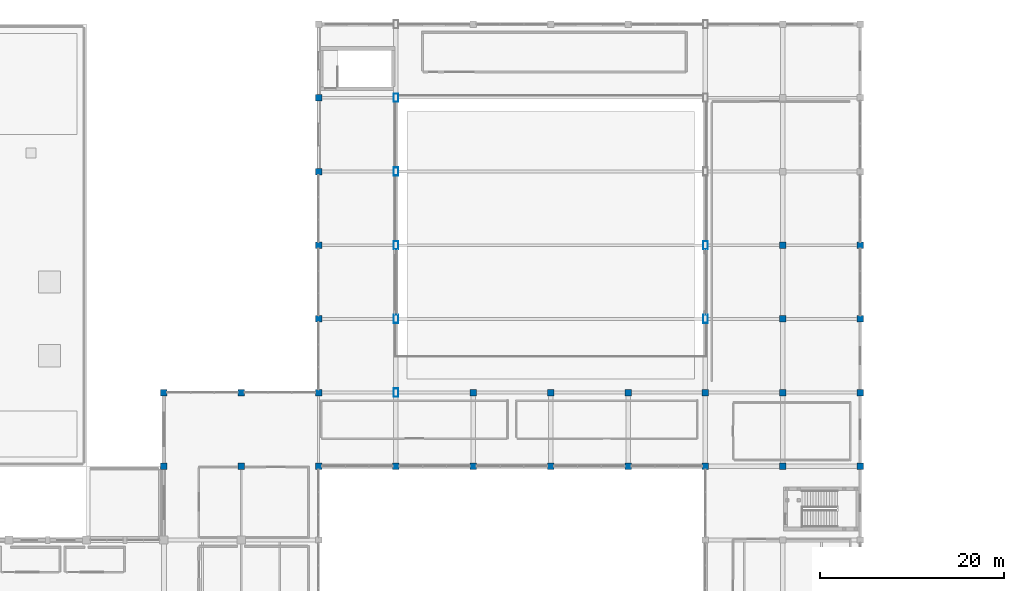
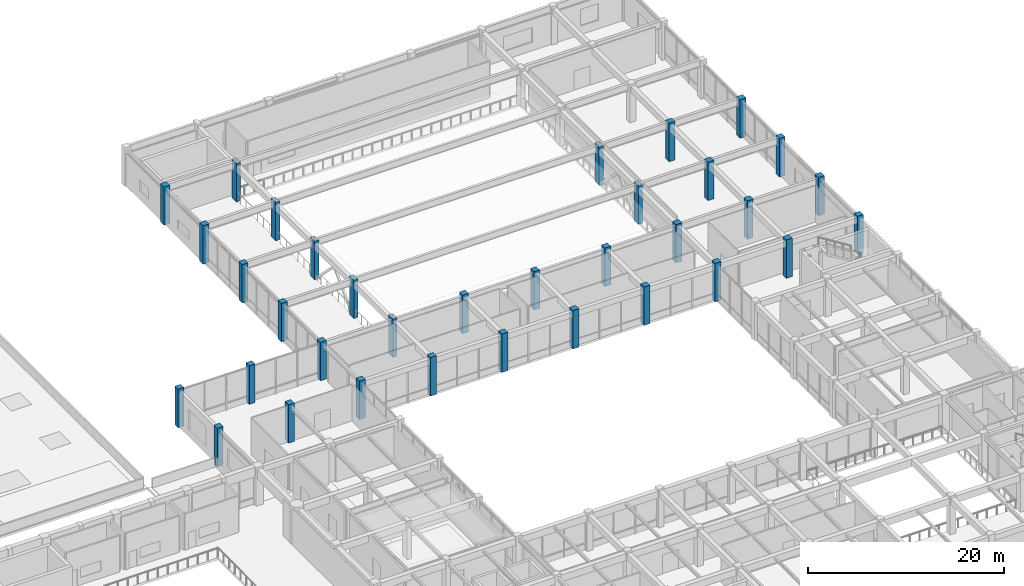
# One storey, part 6 of 76: 34 columns.
"""IFC4 building model written with IfcOpenShell, lengths in metres."""

from ifc_helpers import new_model, si_unit, direction, frame, origin, origin_2d, place, context, subcontext, project, spatial, rectangle, hollow_rectangle, extrude, material, material_profile, profile_set, type_object, element, save


model = new_model("IFC4")

# Units and contexts
model_context = context("Model", 3, precision=1e-05, world=origin(), true_north=direction((0.0, 1.0)))
body_context = subcontext(model_context, "Body", "Model", "MODEL_VIEW")
ifc_project = project(units=[si_unit("LENGTHUNIT", "METRE"), si_unit("AREAUNIT", "SQUARE_METRE"), si_unit("VOLUMEUNIT", "CUBIC_METRE"), si_unit("PLANEANGLEUNIT", "RADIAN"), si_unit("MASSUNIT", "GRAM", prefix="KILO")], contexts=[model_context])

# Site, building, storey
site_placement = place(None, origin())
site = spatial("IfcSite", under=ifc_project, at=site_placement, CompositionType="ELEMENT")
building_placement = place(site_placement, origin())
building = spatial("IfcBuilding", under=site, at=building_placement, Name="Naruveol Harbour Congress Hotel", CompositionType="ELEMENT")
storey_placement = place(building_placement, frame((0.0, 0.0, 11.39990234375)))
storey = spatial("IfcBuildingStorey", under=building, at=storey_placement, Name="L02", CompositionType="ELEMENT", Elevation=11.39990234375)

# Columns
ifc_material_1 = material(Name="Concrete C40/50", Category="concrete")
ifc_material_profile_1 = material_profile(ifc_material_1, rectangle(XDim=0.699951171875, YDim=0.699951171875, at=origin_2d()), Name="RC-700x700")
ifc_profile_set_1 = profile_set([ifc_material_profile_1], Name="Concrete C40/50")
column_type_1 = type_object("IfcColumnType", Name="RC HOTEL COLUMN 700X700", PredefinedType="COLUMN", material=ifc_profile_set_1)
for number, where, z_axis, x_axis, name in (
    (1, (50.39990234375, 64.0, 0.0), (0.0, 0.0, 1.0), (1.0, 0.0, 0.0), "Column C-700 L02 (50.4,64.0)"),
    (2, (50.39990234375, 72.0, 0.0), (0.0, 0.0, 1.0), (1.0, 0.0, 0.0), "Column C-700 L02 (50.4,72.0)"),
    (3, (58.800048828125, 64.0, 0.0), (0.0, 0.0, 1.0), (1.0, 0.0, 0.0), "Column C-700 L02 (58.8,64.0)"),
    (4, (58.800048828125, 72.0, 0.0), (0.0, 0.0, 1.0), (1.0, 0.0, 0.0), "Column C-700 L02 (58.8,72.0)"),
    (5, (67.199951171875, 64.0, 0.0), (0.0, 0.0, 1.0), (1.0, 0.0, 0.0), "Column C-700 L02 (67.2,64.0)"),
    (6, (67.199951171875, 72.0, 0.0), (0.0, 0.0, 1.0), (1.0, 0.0, 0.0), "Column C-700 L02 (67.2,72.0)"),
    (7, (67.199951171875, 80.0, 0.0), (0.0, 0.0, 1.0), (1.0, 0.0, 0.0), "Column C-700 L02 (67.2,80.0)"),
    (8, (67.199951171875, 88.0, 0.0), (0.0, 0.0, 1.0), (1.0, 0.0, 0.0), "Column C-700 L02 (67.2,88.0)"),
    (9, (67.199951171875, 96.0, 0.0), (0.0, 0.0, 1.0), (1.0, 0.0, 0.0), "Column C-700 L02 (67.2,96.0)"),
    (10, (67.199951171875, 104.0, 0.0), (0.0, 0.0, 1.0), (1.0, 0.0, 0.0), "Column C-700 L02 (67.2,104.0)"),
    (11, (75.60009765625, 64.0, 0.0), (0.0, 0.0, 1.0), (1.0, 0.0, 0.0), "Column C-700 L02 (75.6,64.0)"),
    (12, (84.0, 64.0, 0.0), (0.0, 0.0, 1.0), (1.0, 0.0, 0.0), "Column C-700 L02 (84.0,64.0)"),
    (13, (84.0, 72.0, 0.0), (0.0, 0.0, 1.0), (1.0, 0.0, 0.0), "Column C-700 L02 (84.0,72.0)"),
    (14, (92.39990234375, 64.0, 0.0), (0.0, 0.0, 1.0), (1.0, 0.0, 0.0), "Column C-700 L02 (92.4,64.0)"),
    (15, (92.39990234375, 72.0, 0.0), (0.0, 0.0, 1.0), (1.0, 0.0, 0.0), "Column C-700 L02 (92.4,72.0)"),
    (16, (100.800048828125, 64.0, 0.0), (0.0, 0.0, 1.0), (1.0, 0.0, 0.0), "Column C-700 L02 (100.8,64.0)"),
    (17, (100.800048828125, 72.0, 0.0), (0.0, 0.0, 1.0), (1.0, 0.0, 0.0), "Column C-700 L02 (100.8,72.0)"),
    (18, (109.199951171875, 64.0, 0.0), (0.0, 0.0, 1.0), (1.0, 0.0, 0.0), "Column C-700 L02 (109.2,64.0)"),
    (19, (109.199951171875, 72.0, 0.0), (0.0, 0.0, 1.0), (1.0, 0.0, 0.0), "Column C-700 L02 (109.2,72.0)"),
    (20, (117.60009765625, 64.0, 0.0), (0.0, 0.0, 1.0), (1.0, 0.0, 0.0), "Column C-700 L02 (117.6,64.0)"),
    (21, (117.60009765625, 72.0, 0.0), (0.0, 0.0, 1.0), (1.0, 0.0, 0.0), "Column C-700 L02 (117.6,72.0)"),
    (22, (117.60009765625, 80.0, 0.0), (0.0, 0.0, 1.0), (1.0, 0.0, 0.0), "Column C-700 L02 (117.6,80.0)"),
    (23, (117.60009765625, 88.0, 0.0), (0.0, 0.0, 1.0), (1.0, 0.0, 0.0), "Column C-700 L02 (117.6,88.0)"),
    (24, (126.0, 64.0, 0.0), (0.0, 0.0, 1.0), (1.0, 0.0, 0.0), "Column C-700 L02 (126.0,64.0)"),
    (25, (126.0, 72.0, 0.0), (0.0, 0.0, 1.0), (1.0, 0.0, 0.0), "Column C-700 L02 (126.0,72.0)"),
    (26, (126.0, 80.0, 0.0), (0.0, 0.0, 1.0), (1.0, 0.0, 0.0), "Column C-700 L02 (126.0,80.0)"),
    (27, (126.0, 88.0, 0.0), (0.0, 0.0, 1.0), (1.0, 0.0, 0.0), "Column C-700 L02 (126.0,88.0)"),
):
    element("IfcColumn", number, at=place(storey_placement, frame(where, z_axis=z_axis, x_axis=x_axis)), inside=storey, type_object=column_type_1, Name=name, PredefinedType="COLUMN", context=body_context, shape_type="SweptSolid", body=[
        extrude(rectangle(XDim=0.699951171875, YDim=0.699951171875, at=origin_2d()), origin(), (0.0, 0.0, 1.0), 4.800048828125),
    ])
ifc_material_2 = material(Name="Steel SN490", Category="steel")
ifc_material_profile_2 = material_profile(ifc_material_2, hollow_rectangle(XDim=0.5, YDim=0.89990234375, WallThickness=0.02392578125, at=origin_2d()), Name="RHS-900x500x24")
ifc_profile_set_2 = profile_set([ifc_material_profile_2], Name="Steel SN490")
column_type_2 = type_object("IfcColumnType", Name="STEEL HALL COLUMN H900X300", PredefinedType="COLUMN", material=ifc_profile_set_2)
for number, where, z_axis, x_axis, name in (
    (28, (75.60009765625, 72.0, 0.0), (0.0, 0.0, 1.0), (1.0, 0.0, 0.0), "Column SC-H900 L02 (75.6,72.0)"),
    (29, (75.60009765625, 80.0, 0.0), (0.0, 0.0, 1.0), (1.0, 0.0, 0.0), "Column SC-H900 L02 (75.6,80.0)"),
    (30, (75.60009765625, 88.0, 0.0), (0.0, 0.0, 1.0), (1.0, 0.0, 0.0), "Column SC-H900 L02 (75.6,88.0)"),
    (31, (75.60009765625, 96.0, 0.0), (0.0, 0.0, 1.0), (1.0, 0.0, 0.0), "Column SC-H900 L02 (75.6,96.0)"),
    (32, (75.60009765625, 104.0, 0.0), (0.0, 0.0, 1.0), (1.0, 0.0, 0.0), "Column SC-H900 L02 (75.6,104.0)"),
    (33, (109.199951171875, 80.0, 0.0), (0.0, 0.0, 1.0), (1.0, 0.0, 0.0), "Column SC-H900 L02 (109.2,80.0)"),
    (34, (109.199951171875, 88.0, 0.0), (0.0, 0.0, 1.0), (1.0, 0.0, 0.0), "Column SC-H900 L02 (109.2,88.0)"),
):
    element("IfcColumn", number, at=place(storey_placement, frame(where, z_axis=z_axis, x_axis=x_axis)), inside=storey, type_object=column_type_2, Name=name, PredefinedType="COLUMN", context=body_context, shape_type="SweptSolid", body=[
        extrude(hollow_rectangle(XDim=0.5, YDim=0.89990234375, WallThickness=0.02392578125, at=origin_2d()), origin(), (0.0, 0.0, 1.0), 4.800048828125),
    ])

save(model, "model.ifc")
